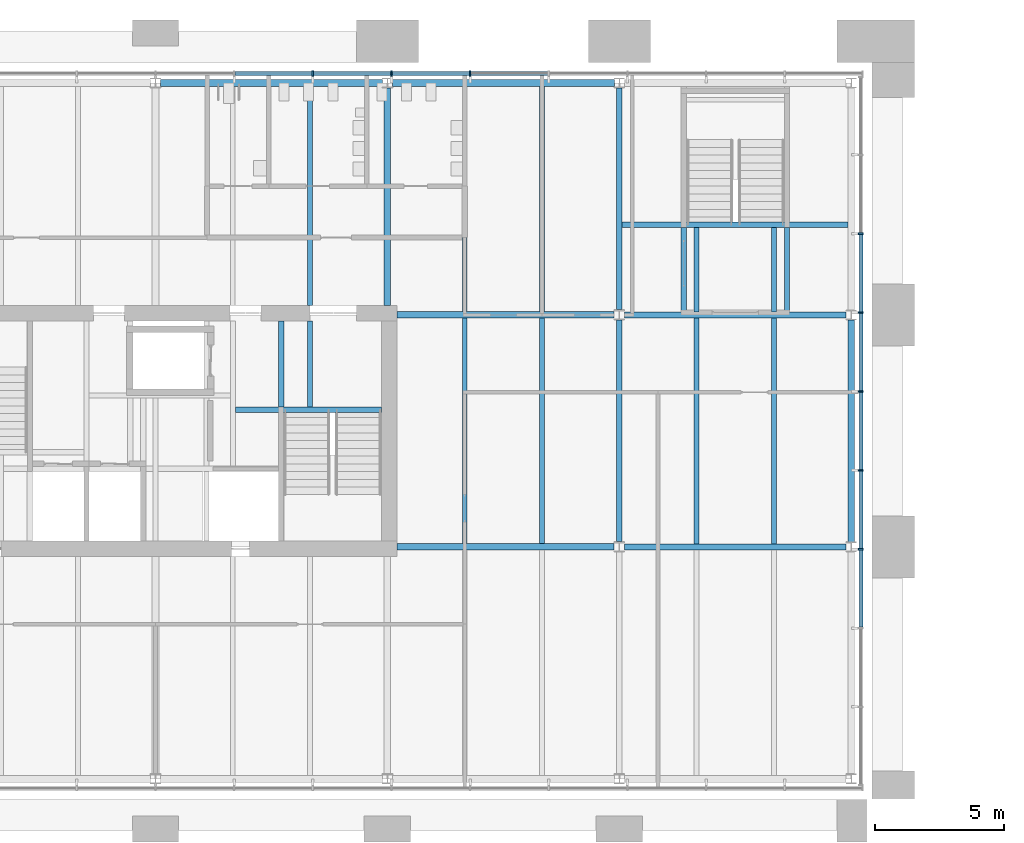
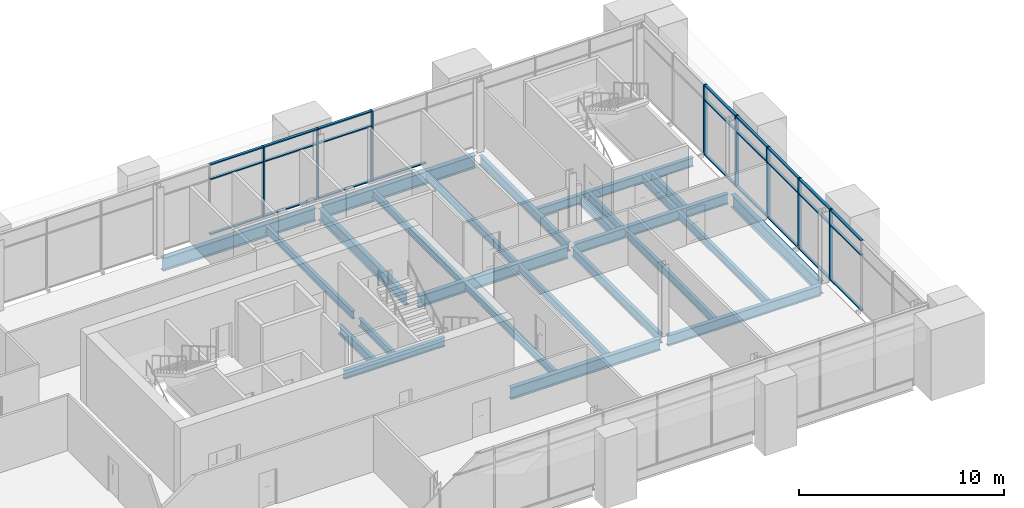
# One storey, part 13 of 43: 33 members, 25 beams, 2 elements without a shape of their own.
"""IFC4 building model written with IfcOpenShell, lengths in metres."""

from ifc_helpers import new_model, si_unit, direction, frame, origin, origin_2d, place, context, subcontext, project, spatial, rectangle, i_section, extrude, material, material_profile, profile_set, type_object, element, aggregate, save


model = new_model("IFC4")

# Units and contexts
model_context = context("Model", 3, precision=1e-05, world=origin(), true_north=direction((0.0, 1.0)))
body_context = subcontext(model_context, "Body", "Model", "MODEL_VIEW")
ifc_project = project(units=[si_unit("LENGTHUNIT", "METRE"), si_unit("AREAUNIT", "SQUARE_METRE"), si_unit("VOLUMEUNIT", "CUBIC_METRE"), si_unit("PLANEANGLEUNIT", "RADIAN"), si_unit("MASSUNIT", "GRAM", prefix="KILO")], contexts=[model_context])

# Site, building, storey
site_placement = place(None, origin())
site = spatial("IfcSite", under=ifc_project, at=site_placement, CompositionType="ELEMENT")
building_placement = place(site_placement, origin())
building = spatial("IfcBuilding", under=site, at=building_placement, Name="Baradari Gate Terminus", CompositionType="ELEMENT")
storey_placement = place(building_placement, frame((0.0, 0.0, 20.10009765625)))
storey = spatial("IfcBuildingStorey", under=building, at=storey_placement, Name="L04", CompositionType="ELEMENT", Elevation=20.10009765625)

# Beams
ifc_material_1 = material(Name="Steel S355", Category="steel")
ifc_material_profile_1 = material_profile(ifc_material_1, i_section(OverallWidth=0.19140625, OverallDepth=0.4599609375, WebThickness=0.010009765625, FlangeThickness=0.01611328125, FilletRadius=0.01025390625, at=origin_2d()), Name="UB 457x191x82")
ifc_profile_set_1 = profile_set([ifc_material_profile_1], Name="Steel S355")
beam_type_1 = type_object("IfcBeamType", Name="Core floor beam B23 UB 457x191x82", PredefinedType="BEAM", material=ifc_profile_set_1)
beam_1_placement = place(storey_placement, frame((42.0, 131.4296875, -0.360107421875), z_axis=(0.0, 1.0, 0.0), x_axis=(-1.0, 0.0, 0.0)))
element("IfcBeam", 1, at=beam_1_placement, inside=storey, type_object=beam_type_1, Name="Core floor beam B23 42:131.43-134.775 L04", PredefinedType="BEAM", context=body_context, shape_type="SweptSolid", body=[
    extrude(i_section(OverallWidth=0.19140625, OverallDepth=0.4599609375, WebThickness=0.010009765625, FlangeThickness=0.01611328125, FilletRadius=0.01025390625, at=origin_2d()), origin(), (0.0, 0.0, 1.0), 3.34521484375),
])
ifc_material_2 = material(Name="Steel S355", Category="steel")
ifc_material_profile_2 = material_profile(ifc_material_2, i_section(OverallWidth=0.209228515625, OverallDepth=0.533203125, WebThickness=0.010009765625, FlangeThickness=0.015625, FilletRadius=0.0126953125, at=origin_2d()), Name="UB 533x210x92")
ifc_profile_set_2 = profile_set([ifc_material_profile_2], Name="Steel S355")
beam_type_2 = type_object("IfcBeamType", Name="Core floor trimmer beam B22 UB 533x210x92", PredefinedType="BEAM", material=ifc_profile_set_2)
beam_2_placement = place(storey_placement, frame((39.095703125, 131.324951171875, -0.396728515625), z_axis=(1.0, 0.0, 0.0), x_axis=(0.0, 1.0, 0.0)))
element("IfcBeam", 2, at=beam_2_placement, inside=storey, type_object=beam_type_2, Name="Core floor trimmer beam B22 131.325:39.096-44.775 L04", PredefinedType="BEAM", context=body_context, shape_type="SweptSolid", body=[
    extrude(i_section(OverallWidth=0.209228515625, OverallDepth=0.533203125, WebThickness=0.010009765625, FlangeThickness=0.015625, FilletRadius=0.0126953125, at=origin_2d()), origin(), (0.0, 0.0, 1.0), 5.67919921875),
])
beam_3_placement = place(storey_placement, frame((40.875, 131.4296875, -0.396728515625), z_axis=(0.0, 1.0, 0.0), x_axis=(-1.0, 0.0, 0.0)))
element("IfcBeam", 3, at=beam_3_placement, inside=storey, type_object=beam_type_2, Name="Core floor trimmer beam B22 40.875:131.43-134.775 L04", PredefinedType="BEAM", context=body_context, shape_type="SweptSolid", body=[
    extrude(i_section(OverallWidth=0.209228515625, OverallDepth=0.533203125, WebThickness=0.010009765625, FlangeThickness=0.015625, FilletRadius=0.0126953125, at=origin_2d()), origin(), (0.0, 0.0, 1.0), 3.34521484375),
])

# Curtain wall, members
ifc_material_3 = material(Name="Aluminium 6063-T6", Category="aluminium")
curtain_wall_type = type_object("IfcCurtainWallType", Name="Curtain wall CW-1 block unitised, zone L02-L05", PredefinedType="NOTDEFINED", material=ifc_material_3)
curtain_wall_1_placement = place(storey_placement, origin())
curtain_wall_1 = element("IfcCurtainWall", 4, at=curtain_wall_1_placement, inside=storey, type_object=curtain_wall_type, Name="Curtain wall CW-1 Operations block N face L04", PredefinedType="NOTDEFINED")
ifc_material_4 = material(Name="Aluminium 6063-T6", Category="aluminium")
ifc_material_profile_3 = material_profile(ifc_material_4, rectangle(XDim=0.199951171875, YDim=0.06494140625, at=origin_2d()), Name="CM-1 65X200")
ifc_profile_set_3 = profile_set([ifc_material_profile_3], Name="Aluminium 6063-T6")
member_type_1 = type_object("IfcMemberType", Name="Curtain wall mullion CM-1 65x200", PredefinedType="MULLION", material=ifc_profile_set_3)
member_1_placement = place(storey_placement, frame((42.1044921875, 144.3701171875, 0.0), z_axis=(0.0, 0.0, 1.0), x_axis=(0.0, 1.0, 0.0)))
member_1 = element("IfcMember", 5, at=member_1_placement, type_object=member_type_1, Name="CW-1 mullion 12", PredefinedType="MULLION", context=body_context, shape_type="SweptSolid", body=[
    extrude(rectangle(XDim=0.199951171875, YDim=0.06494140625, at=origin_2d()), origin(), (0.0, 0.0, 1.0), 4.199951171875),
])
member_2_placement = place(storey_placement, frame((45.15673828125, 144.3701171875, 0.0), z_axis=(0.0, 0.0, 1.0), x_axis=(0.0, 1.0, 0.0)))
member_2 = element("IfcMember", 6, at=member_2_placement, type_object=member_type_1, Name="CW-1 mullion 13", PredefinedType="MULLION", context=body_context, shape_type="SweptSolid", body=[
    extrude(rectangle(XDim=0.199951171875, YDim=0.06494140625, at=origin_2d()), origin(), (0.0, 0.0, 1.0), 4.199951171875),
])
member_3_placement = place(storey_placement, frame((48.208984375, 144.3701171875, 0.0), z_axis=(0.0, 0.0, 1.0), x_axis=(0.0, 1.0, 0.0)))
member_3 = element("IfcMember", 7, at=member_3_placement, type_object=member_type_1, Name="CW-1 mullion 14", PredefinedType="MULLION", context=body_context, shape_type="SweptSolid", body=[
    extrude(rectangle(XDim=0.199951171875, YDim=0.06494140625, at=origin_2d()), origin(), (0.0, 0.0, 1.0), 4.199951171875),
])

curtain_wall_2_placement = place(storey_placement, origin())
curtain_wall_2 = element("IfcCurtainWall", 8, at=curtain_wall_2_placement, inside=storey, type_object=curtain_wall_type, Name="Curtain wall CW-1 Operations block E face L04", PredefinedType="NOTDEFINED")
member_4_placement = place(storey_placement, frame((63.3701171875, 125.909912109375, 0.0), z_axis=(0.0, 0.0, 1.0), x_axis=(-1.0, 0.0, 0.0)))
member_4 = element("IfcMember", 9, at=member_4_placement, type_object=member_type_1, Name="CW-1 mullion 4", PredefinedType="MULLION", context=body_context, shape_type="SweptSolid", body=[
    extrude(rectangle(XDim=0.199951171875, YDim=0.06494140625, at=origin_2d()), origin(), (0.0, 0.0, 1.0), 4.199951171875),
])
member_5_placement = place(storey_placement, frame((63.3701171875, 128.969970703125, 0.0), z_axis=(0.0, 0.0, 1.0), x_axis=(-1.0, 0.0, 0.0)))
member_5 = element("IfcMember", 10, at=member_5_placement, type_object=member_type_1, Name="CW-1 mullion 5", PredefinedType="MULLION", context=body_context, shape_type="SweptSolid", body=[
    extrude(rectangle(XDim=0.199951171875, YDim=0.06494140625, at=origin_2d()), origin(), (0.0, 0.0, 1.0), 4.199951171875),
])
member_6_placement = place(storey_placement, frame((63.3701171875, 132.030029296875, 0.0), z_axis=(0.0, 0.0, 1.0), x_axis=(-1.0, 0.0, 0.0)))
member_6 = element("IfcMember", 11, at=member_6_placement, type_object=member_type_1, Name="CW-1 mullion 6", PredefinedType="MULLION", context=body_context, shape_type="SweptSolid", body=[
    extrude(rectangle(XDim=0.199951171875, YDim=0.06494140625, at=origin_2d()), origin(), (0.0, 0.0, 1.0), 4.199951171875),
])
member_7_placement = place(storey_placement, frame((63.3701171875, 135.090087890625, 0.0), z_axis=(0.0, 0.0, 1.0), x_axis=(-1.0, 0.0, 0.0)))
member_7 = element("IfcMember", 12, at=member_7_placement, type_object=member_type_1, Name="CW-1 mullion 7", PredefinedType="MULLION", context=body_context, shape_type="SweptSolid", body=[
    extrude(rectangle(XDim=0.199951171875, YDim=0.06494140625, at=origin_2d()), origin(), (0.0, 0.0, 1.0), 4.199951171875),
])
member_8_placement = place(storey_placement, frame((63.3701171875, 138.14990234375, 0.0), z_axis=(0.0, 0.0, 1.0), x_axis=(-1.0, 0.0, 0.0)))
member_8 = element("IfcMember", 13, at=member_8_placement, type_object=member_type_1, Name="CW-1 mullion 8", PredefinedType="MULLION", context=body_context, shape_type="SweptSolid", body=[
    extrude(rectangle(XDim=0.199951171875, YDim=0.06494140625, at=origin_2d()), origin(), (0.0, 0.0, 1.0), 4.199951171875),
])

# Member
ifc_material_5 = material(Name="Aluminium 6063-T6", Category="aluminium")
ifc_material_profile_4 = material_profile(ifc_material_5, rectangle(XDim=0.14990234375, YDim=0.06494140625, at=origin_2d()), Name="CT-1 65X150")
ifc_profile_set_4 = profile_set([ifc_material_profile_4], Name="Aluminium 6063-T6")
member_type_2 = type_object("IfcMemberType", Name="Curtain wall transom CT-1 65x150", PredefinedType="USERDEFINED", material=ifc_profile_set_4)
member_9_placement = place(storey_placement, frame((39.084716796875, 144.3701171875, 0.032470703125), z_axis=(1.0, 0.0, 0.0), x_axis=(0.0, 1.0, 0.0)))
member_9 = element("IfcMember", 14, at=member_9_placement, type_object=member_type_2, Name="CW-1 transom 11.1", ObjectType="TRANSOM", PredefinedType="USERDEFINED", context=body_context, shape_type="SweptSolid", body=[
    extrude(rectangle(XDim=0.14990234375, YDim=0.06494140625, at=origin_2d()), origin(), (0.0, 0.0, 1.0), 2.9873046875),
])

member_10_placement = place(storey_placement, frame((39.084716796875, 144.3701171875, 3.2998046875), z_axis=(1.0, 0.0, 0.0), x_axis=(0.0, 1.0, 0.0)))
member_10 = element("IfcMember", 15, at=member_10_placement, type_object=member_type_2, Name="CW-1 transom 11.2", ObjectType="TRANSOM", PredefinedType="USERDEFINED", context=body_context, shape_type="SweptSolid", body=[
    extrude(rectangle(XDim=0.14990234375, YDim=0.06494140625, at=origin_2d()), origin(), (0.0, 0.0, 1.0), 2.9873046875),
])

member_11_placement = place(storey_placement, frame((39.084716796875, 144.3701171875, 4.16748046875), z_axis=(1.0, 0.0, 0.0), x_axis=(0.0, 1.0, 0.0)))
member_11 = element("IfcMember", 16, at=member_11_placement, type_object=member_type_2, Name="CW-1 transom 11.3", ObjectType="TRANSOM", PredefinedType="USERDEFINED", context=body_context, shape_type="SweptSolid", body=[
    extrude(rectangle(XDim=0.14990234375, YDim=0.06494140625, at=origin_2d()), origin(), (0.0, 0.0, 1.0), 2.9873046875),
])

member_12_placement = place(storey_placement, frame((42.136962890625, 144.3701171875, 0.032470703125), z_axis=(1.0, 0.0, 0.0), x_axis=(0.0, 1.0, 0.0)))
member_12 = element("IfcMember", 17, at=member_12_placement, type_object=member_type_2, Name="CW-1 transom 12.1", ObjectType="TRANSOM", PredefinedType="USERDEFINED", context=body_context, shape_type="SweptSolid", body=[
    extrude(rectangle(XDim=0.14990234375, YDim=0.06494140625, at=origin_2d()), origin(), (0.0, 0.0, 1.0), 2.9873046875),
])

member_13_placement = place(storey_placement, frame((42.136962890625, 144.3701171875, 3.2998046875), z_axis=(1.0, 0.0, 0.0), x_axis=(0.0, 1.0, 0.0)))
member_13 = element("IfcMember", 18, at=member_13_placement, type_object=member_type_2, Name="CW-1 transom 12.2", ObjectType="TRANSOM", PredefinedType="USERDEFINED", context=body_context, shape_type="SweptSolid", body=[
    extrude(rectangle(XDim=0.14990234375, YDim=0.06494140625, at=origin_2d()), origin(), (0.0, 0.0, 1.0), 2.9873046875),
])

member_14_placement = place(storey_placement, frame((42.136962890625, 144.3701171875, 4.16748046875), z_axis=(1.0, 0.0, 0.0), x_axis=(0.0, 1.0, 0.0)))
member_14 = element("IfcMember", 19, at=member_14_placement, type_object=member_type_2, Name="CW-1 transom 12.3", ObjectType="TRANSOM", PredefinedType="USERDEFINED", context=body_context, shape_type="SweptSolid", body=[
    extrude(rectangle(XDim=0.14990234375, YDim=0.06494140625, at=origin_2d()), origin(), (0.0, 0.0, 1.0), 2.9873046875),
])

member_15_placement = place(storey_placement, frame((45.189208984375, 144.3701171875, 0.032470703125), z_axis=(1.0, 0.0, 0.0), x_axis=(0.0, 1.0, 0.0)))
member_15 = element("IfcMember", 20, at=member_15_placement, type_object=member_type_2, Name="CW-1 transom 13.1", ObjectType="TRANSOM", PredefinedType="USERDEFINED", context=body_context, shape_type="SweptSolid", body=[
    extrude(rectangle(XDim=0.14990234375, YDim=0.06494140625, at=origin_2d()), origin(), (0.0, 0.0, 1.0), 2.987060546875),
])

member_16_placement = place(storey_placement, frame((45.189208984375, 144.3701171875, 3.2998046875), z_axis=(1.0, 0.0, 0.0), x_axis=(0.0, 1.0, 0.0)))
member_16 = element("IfcMember", 21, at=member_16_placement, type_object=member_type_2, Name="CW-1 transom 13.2", ObjectType="TRANSOM", PredefinedType="USERDEFINED", context=body_context, shape_type="SweptSolid", body=[
    extrude(rectangle(XDim=0.14990234375, YDim=0.06494140625, at=origin_2d()), origin(), (0.0, 0.0, 1.0), 2.987060546875),
])

member_17_placement = place(storey_placement, frame((45.189208984375, 144.3701171875, 4.16748046875), z_axis=(1.0, 0.0, 0.0), x_axis=(0.0, 1.0, 0.0)))
member_17 = element("IfcMember", 22, at=member_17_placement, type_object=member_type_2, Name="CW-1 transom 13.3", ObjectType="TRANSOM", PredefinedType="USERDEFINED", context=body_context, shape_type="SweptSolid", body=[
    extrude(rectangle(XDim=0.14990234375, YDim=0.06494140625, at=origin_2d()), origin(), (0.0, 0.0, 1.0), 2.987060546875),
])

member_18_placement = place(storey_placement, frame((48.241455078125, 144.3701171875, 0.032470703125), z_axis=(1.0, 0.0, 0.0), x_axis=(0.0, 1.0, 0.0)))
member_18 = element("IfcMember", 23, at=member_18_placement, type_object=member_type_2, Name="CW-1 transom 14.1", ObjectType="TRANSOM", PredefinedType="USERDEFINED", context=body_context, shape_type="SweptSolid", body=[
    extrude(rectangle(XDim=0.14990234375, YDim=0.06494140625, at=origin_2d()), origin(), (0.0, 0.0, 1.0), 2.987060546875),
])

aggregate(curtain_wall_1, [member_1, member_2, member_3, member_9, member_10, member_11, member_12, member_13, member_14, member_15, member_16, member_17, member_18])

member_19_placement = place(storey_placement, frame((63.3701171875, 122.882568359375, 0.032470703125), z_axis=(0.0, 1.0, 0.0), x_axis=(-1.0, 0.0, 0.0)))
member_19 = element("IfcMember", 24, at=member_19_placement, type_object=member_type_2, Name="CW-1 transom 3.1", ObjectType="TRANSOM", PredefinedType="USERDEFINED", context=body_context, shape_type="SweptSolid", body=[
    extrude(rectangle(XDim=0.14990234375, YDim=0.06494140625, at=origin_2d()), origin(), (0.0, 0.0, 1.0), 2.994873046875),
])

member_20_placement = place(storey_placement, frame((63.3701171875, 122.882568359375, 3.2998046875), z_axis=(0.0, 1.0, 0.0), x_axis=(-1.0, 0.0, 0.0)))
member_20 = element("IfcMember", 25, at=member_20_placement, type_object=member_type_2, Name="CW-1 transom 3.2", ObjectType="TRANSOM", PredefinedType="USERDEFINED", context=body_context, shape_type="SweptSolid", body=[
    extrude(rectangle(XDim=0.14990234375, YDim=0.06494140625, at=origin_2d()), origin(), (0.0, 0.0, 1.0), 2.994873046875),
])

member_21_placement = place(storey_placement, frame((63.3701171875, 122.882568359375, 4.16748046875), z_axis=(0.0, 1.0, 0.0), x_axis=(-1.0, 0.0, 0.0)))
member_21 = element("IfcMember", 26, at=member_21_placement, type_object=member_type_2, Name="CW-1 transom 3.3", ObjectType="TRANSOM", PredefinedType="USERDEFINED", context=body_context, shape_type="SweptSolid", body=[
    extrude(rectangle(XDim=0.14990234375, YDim=0.06494140625, at=origin_2d()), origin(), (0.0, 0.0, 1.0), 2.994873046875),
])

member_22_placement = place(storey_placement, frame((63.3701171875, 125.9423828125, 0.032470703125), z_axis=(0.0, 1.0, 0.0), x_axis=(-1.0, 0.0, 0.0)))
member_22 = element("IfcMember", 27, at=member_22_placement, type_object=member_type_2, Name="CW-1 transom 4.1", ObjectType="TRANSOM", PredefinedType="USERDEFINED", context=body_context, shape_type="SweptSolid", body=[
    extrude(rectangle(XDim=0.14990234375, YDim=0.06494140625, at=origin_2d()), origin(), (0.0, 0.0, 1.0), 2.9951171875),
])

member_23_placement = place(storey_placement, frame((63.3701171875, 125.9423828125, 3.2998046875), z_axis=(0.0, 1.0, 0.0), x_axis=(-1.0, 0.0, 0.0)))
member_23 = element("IfcMember", 28, at=member_23_placement, type_object=member_type_2, Name="CW-1 transom 4.2", ObjectType="TRANSOM", PredefinedType="USERDEFINED", context=body_context, shape_type="SweptSolid", body=[
    extrude(rectangle(XDim=0.14990234375, YDim=0.06494140625, at=origin_2d()), origin(), (0.0, 0.0, 1.0), 2.9951171875),
])

member_24_placement = place(storey_placement, frame((63.3701171875, 125.9423828125, 4.16748046875), z_axis=(0.0, 1.0, 0.0), x_axis=(-1.0, 0.0, 0.0)))
member_24 = element("IfcMember", 29, at=member_24_placement, type_object=member_type_2, Name="CW-1 transom 4.3", ObjectType="TRANSOM", PredefinedType="USERDEFINED", context=body_context, shape_type="SweptSolid", body=[
    extrude(rectangle(XDim=0.14990234375, YDim=0.06494140625, at=origin_2d()), origin(), (0.0, 0.0, 1.0), 2.9951171875),
])

member_25_placement = place(storey_placement, frame((63.3701171875, 129.00244140625, 0.032470703125), z_axis=(0.0, 1.0, 0.0), x_axis=(-1.0, 0.0, 0.0)))
member_25 = element("IfcMember", 30, at=member_25_placement, type_object=member_type_2, Name="CW-1 transom 5.1", ObjectType="TRANSOM", PredefinedType="USERDEFINED", context=body_context, shape_type="SweptSolid", body=[
    extrude(rectangle(XDim=0.14990234375, YDim=0.06494140625, at=origin_2d()), origin(), (0.0, 0.0, 1.0), 2.9951171875),
])

member_26_placement = place(storey_placement, frame((63.3701171875, 129.00244140625, 3.2998046875), z_axis=(0.0, 1.0, 0.0), x_axis=(-1.0, 0.0, 0.0)))
member_26 = element("IfcMember", 31, at=member_26_placement, type_object=member_type_2, Name="CW-1 transom 5.2", ObjectType="TRANSOM", PredefinedType="USERDEFINED", context=body_context, shape_type="SweptSolid", body=[
    extrude(rectangle(XDim=0.14990234375, YDim=0.06494140625, at=origin_2d()), origin(), (0.0, 0.0, 1.0), 2.9951171875),
])

member_27_placement = place(storey_placement, frame((63.3701171875, 129.00244140625, 4.16748046875), z_axis=(0.0, 1.0, 0.0), x_axis=(-1.0, 0.0, 0.0)))
member_27 = element("IfcMember", 32, at=member_27_placement, type_object=member_type_2, Name="CW-1 transom 5.3", ObjectType="TRANSOM", PredefinedType="USERDEFINED", context=body_context, shape_type="SweptSolid", body=[
    extrude(rectangle(XDim=0.14990234375, YDim=0.06494140625, at=origin_2d()), origin(), (0.0, 0.0, 1.0), 2.9951171875),
])

member_28_placement = place(storey_placement, frame((63.3701171875, 132.0625, 0.032470703125), z_axis=(0.0, 1.0, 0.0), x_axis=(-1.0, 0.0, 0.0)))
member_28 = element("IfcMember", 33, at=member_28_placement, type_object=member_type_2, Name="CW-1 transom 6.1", ObjectType="TRANSOM", PredefinedType="USERDEFINED", context=body_context, shape_type="SweptSolid", body=[
    extrude(rectangle(XDim=0.14990234375, YDim=0.06494140625, at=origin_2d()), origin(), (0.0, 0.0, 1.0), 2.9951171875),
])

member_29_placement = place(storey_placement, frame((63.3701171875, 132.0625, 3.2998046875), z_axis=(0.0, 1.0, 0.0), x_axis=(-1.0, 0.0, 0.0)))
member_29 = element("IfcMember", 34, at=member_29_placement, type_object=member_type_2, Name="CW-1 transom 6.2", ObjectType="TRANSOM", PredefinedType="USERDEFINED", context=body_context, shape_type="SweptSolid", body=[
    extrude(rectangle(XDim=0.14990234375, YDim=0.06494140625, at=origin_2d()), origin(), (0.0, 0.0, 1.0), 2.9951171875),
])

member_30_placement = place(storey_placement, frame((63.3701171875, 132.0625, 4.16748046875), z_axis=(0.0, 1.0, 0.0), x_axis=(-1.0, 0.0, 0.0)))
member_30 = element("IfcMember", 35, at=member_30_placement, type_object=member_type_2, Name="CW-1 transom 6.3", ObjectType="TRANSOM", PredefinedType="USERDEFINED", context=body_context, shape_type="SweptSolid", body=[
    extrude(rectangle(XDim=0.14990234375, YDim=0.06494140625, at=origin_2d()), origin(), (0.0, 0.0, 1.0), 2.9951171875),
])

member_31_placement = place(storey_placement, frame((63.3701171875, 135.12255859375, 0.032470703125), z_axis=(0.0, 1.0, 0.0), x_axis=(-1.0, 0.0, 0.0)))
member_31 = element("IfcMember", 36, at=member_31_placement, type_object=member_type_2, Name="CW-1 transom 7.1", ObjectType="TRANSOM", PredefinedType="USERDEFINED", context=body_context, shape_type="SweptSolid", body=[
    extrude(rectangle(XDim=0.14990234375, YDim=0.06494140625, at=origin_2d()), origin(), (0.0, 0.0, 1.0), 2.994873046875),
])

member_32_placement = place(storey_placement, frame((63.3701171875, 135.12255859375, 3.2998046875), z_axis=(0.0, 1.0, 0.0), x_axis=(-1.0, 0.0, 0.0)))
member_32 = element("IfcMember", 37, at=member_32_placement, type_object=member_type_2, Name="CW-1 transom 7.2", ObjectType="TRANSOM", PredefinedType="USERDEFINED", context=body_context, shape_type="SweptSolid", body=[
    extrude(rectangle(XDim=0.14990234375, YDim=0.06494140625, at=origin_2d()), origin(), (0.0, 0.0, 1.0), 2.994873046875),
])

member_33_placement = place(storey_placement, frame((63.3701171875, 135.12255859375, 4.16748046875), z_axis=(0.0, 1.0, 0.0), x_axis=(-1.0, 0.0, 0.0)))
member_33 = element("IfcMember", 38, at=member_33_placement, type_object=member_type_2, Name="CW-1 transom 7.3", ObjectType="TRANSOM", PredefinedType="USERDEFINED", context=body_context, shape_type="SweptSolid", body=[
    extrude(rectangle(XDim=0.14990234375, YDim=0.06494140625, at=origin_2d()), origin(), (0.0, 0.0, 1.0), 2.994873046875),
])

aggregate(curtain_wall_2, [member_4, member_5, member_6, member_7, member_8, member_19, member_20, member_21, member_22, member_23, member_24, member_25, member_26, member_27, member_28, member_29, member_30, member_31, member_32, member_33])

# Beams
ifc_material_6 = material(Name="Steel S355", Category="steel")
ifc_material_profile_5 = material_profile(ifc_material_6, i_section(OverallWidth=0.25439453125, OverallDepth=0.6875, WebThickness=0.01318359375, FlangeThickness=0.02099609375, FilletRadius=0.01513671875, at=origin_2d()), Name="UB 686x254x152")
ifc_profile_set_5 = profile_set([ifc_material_profile_5], Name="Steel S355")
beam_type_3 = type_object("IfcBeamType", Name="Operations block coupling beam B26 UB 686x254x152", PredefinedType="BEAM", material=ifc_profile_set_5)
for number, where, z_axis, x_axis, name in (
    (39, (45.375, 126.0, -0.473876953125), (1.0, 0.0, 0.0), (0.0, 1.0, 0.0), "Operations block coupling beam B26 Q:45.375-53.798 L04"),
    (40, (45.375, 135.0, -0.473876953125), (1.0, 0.0, 0.0), (0.0, 1.0, 0.0), "Operations block coupling beam B26 R:45.375-53.798 L04"),
):
    element("IfcBeam", number, at=place(storey_placement, frame(where, z_axis=z_axis, x_axis=x_axis)), inside=storey, type_object=beam_type_3, Name=name, PredefinedType="BEAM", context=body_context, shape_type="SweptSolid", body=[
        extrude(i_section(OverallWidth=0.25439453125, OverallDepth=0.6875, WebThickness=0.01318359375, FlangeThickness=0.02099609375, FilletRadius=0.01513671875, at=origin_2d()), origin(), (0.0, 0.0, 1.0), 8.423583984375),
    ])
beam_4_placement = place(storey_placement, frame((45.0, 135.375, -0.473876953125), z_axis=(0.0, 1.0, 0.0), x_axis=(-1.0, 0.0, 0.0)))
element("IfcBeam", 41, at=beam_4_placement, inside=storey, type_object=beam_type_3, Name="Operations block coupling beam B26 6:135.375-143.81 L04", PredefinedType="BEAM", context=body_context, shape_type="SweptSolid", body=[
    extrude(i_section(OverallWidth=0.25439453125, OverallDepth=0.6875, WebThickness=0.01318359375, FlangeThickness=0.02099609375, FilletRadius=0.01513671875, at=origin_2d()), origin(), (0.0, 0.0, 1.0), 8.4345703125),
])
ifc_material_7 = material(Name="Steel S355", Category="steel")
ifc_material_profile_6 = material_profile(ifc_material_7, i_section(OverallWidth=0.22900390625, OverallDepth=0.6123046875, WebThickness=0.011962890625, FlangeThickness=0.01953125, FilletRadius=0.0126953125, at=origin_2d()), Name="UB 610x229x125")
ifc_profile_set_6 = profile_set([ifc_material_profile_6], Name="Steel S355")
beam_type_4 = type_object("IfcBeamType", Name="Operations block girder B25 UB 610x229x125", PredefinedType="BEAM", material=ifc_profile_set_6)
for number, where, z_axis, x_axis, name in (
    (42, (54.201416015625, 126.0, -0.436279296875), (1.0, 0.0, 0.0), (0.0, 1.0, 0.0), "Operations block girder B25 Q:54.202-62.803 L04"),
    (43, (54.201416015625, 135.0, -0.436279296875), (1.0, 0.0, 0.0), (0.0, 1.0, 0.0), "Operations block girder B25 R:54.202-62.803 L04"),
):
    element("IfcBeam", number, at=place(storey_placement, frame(where, z_axis=z_axis, x_axis=x_axis)), inside=storey, type_object=beam_type_4, Name=name, PredefinedType="BEAM", context=body_context, shape_type="SweptSolid", body=[
        extrude(i_section(OverallWidth=0.22900390625, OverallDepth=0.6123046875, WebThickness=0.011962890625, FlangeThickness=0.01953125, FilletRadius=0.0126953125, at=origin_2d()), origin(), (0.0, 0.0, 1.0), 8.60107421875),
    ])
ifc_material_8 = material(Name="Steel S355", Category="steel")
ifc_material_profile_7 = material_profile(ifc_material_8, i_section(OverallWidth=0.210693359375, OverallDepth=0.53955078125, WebThickness=0.01171875, FlangeThickness=0.018798828125, FilletRadius=0.0126953125, at=origin_2d()), Name="UB 533x210x109")
ifc_profile_set_7 = profile_set([ifc_material_profile_7], Name="Steel S355")
beam_type_5 = type_object("IfcBeamType", Name="Operations block girder B29 UB 533x210x109", PredefinedType="BEAM", material=ifc_profile_set_7)
beam_5_placement = place(storey_placement, frame((54.0, 126.203125, -0.39990234375), z_axis=(0.0, 1.0, 0.0), x_axis=(-1.0, 0.0, 0.0)))
element("IfcBeam", 44, at=beam_5_placement, inside=storey, type_object=beam_type_5, Name="Operations block girder B29 7:126.203-134.797 L04", PredefinedType="BEAM", context=body_context, shape_type="SweptSolid", body=[
    extrude(i_section(OverallWidth=0.210693359375, OverallDepth=0.53955078125, WebThickness=0.01171875, FlangeThickness=0.018798828125, FilletRadius=0.0126953125, at=origin_2d()), origin(), (0.0, 0.0, 1.0), 8.59375),
])
beam_6_placement = place(storey_placement, frame((54.0, 135.203125, -0.39990234375), z_axis=(0.0, 1.0, 0.0), x_axis=(-1.0, 0.0, 0.0)))
element("IfcBeam", 45, at=beam_6_placement, inside=storey, type_object=beam_type_5, Name="Operations block girder B29 7:135.203-143.81 L04", PredefinedType="BEAM", context=body_context, shape_type="SweptSolid", body=[
    extrude(i_section(OverallWidth=0.210693359375, OverallDepth=0.53955078125, WebThickness=0.01171875, FlangeThickness=0.018798828125, FilletRadius=0.0126953125, at=origin_2d()), origin(), (0.0, 0.0, 1.0), 8.6064453125),
])
ifc_material_9 = material(Name="Steel S355", Category="steel")
ifc_material_profile_8 = material_profile(ifc_material_9, i_section(OverallWidth=0.2666015625, OverallDepth=0.76220703125, WebThickness=0.014404296875, FlangeThickness=0.021484375, FilletRadius=0.0166015625, at=origin_2d()), Name="UB 762x267x173")
ifc_profile_set_8 = profile_set([ifc_material_profile_8], Name="Steel S355")
beam_type_6 = type_object("IfcBeamType", Name="Operations block moment frame beam B24 UB 762x267x173", PredefinedType="BEAM", material=ifc_profile_set_8)
for number, where, z_axis, x_axis, name in (
    (46, (36.197509765625, 144.0, -0.51123046875), (1.0, 0.0, 0.0), (0.0, 1.0, 0.0), "Operations block moment frame beam B24 S:36.197-44.803 L04"),
    (47, (45.197509765625, 144.0, -0.51123046875), (1.0, 0.0, 0.0), (0.0, 1.0, 0.0), "Operations block moment frame beam B24 S:45.197-53.803 L04"),
):
    element("IfcBeam", number, at=place(storey_placement, frame(where, z_axis=z_axis, x_axis=x_axis)), inside=storey, type_object=beam_type_6, Name=name, PredefinedType="BEAM", context=body_context, shape_type="SweptSolid", body=[
        extrude(i_section(OverallWidth=0.2666015625, OverallDepth=0.76220703125, WebThickness=0.014404296875, FlangeThickness=0.021484375, FilletRadius=0.0166015625, at=origin_2d()), origin(), (0.0, 0.0, 1.0), 8.60498046875),
    ])
beam_7_placement = place(storey_placement, frame((63.0, 126.1904296875, -0.51123046875), z_axis=(0.0, 1.0, 0.0), x_axis=(-1.0, 0.0, 0.0)))
element("IfcBeam", 48, at=beam_7_placement, inside=storey, type_object=beam_type_6, Name="Operations block moment frame beam B24 8:126.191-134.81 L04", PredefinedType="BEAM", context=body_context, shape_type="SweptSolid", body=[
    extrude(i_section(OverallWidth=0.2666015625, OverallDepth=0.76220703125, WebThickness=0.014404296875, FlangeThickness=0.021484375, FilletRadius=0.0166015625, at=origin_2d()), origin(), (0.0, 0.0, 1.0), 8.619140625),
])
ifc_material_10 = material(Name="Steel S355", Category="steel")
ifc_material_profile_9 = material_profile(ifc_material_10, i_section(OverallWidth=0.18994140625, OverallDepth=0.453369140625, WebThickness=0.008544921875, FlangeThickness=0.0126953125, FilletRadius=0.01025390625, at=origin_2d()), Name="UB 457x191x67")
ifc_profile_set_9 = profile_set([ifc_material_profile_9], Name="Steel S355")
beam_type_7 = type_object("IfcBeamType", Name="Operations block secondary beam B28 UB 457x191x67", PredefinedType="BEAM", material=ifc_profile_set_9)
beam_8_placement = place(storey_placement, frame((42.0, 135.375, -0.356689453125), z_axis=(0.0, 1.0, 0.0), x_axis=(-1.0, 0.0, 0.0)))
element("IfcBeam", 49, at=beam_8_placement, inside=storey, type_object=beam_type_7, Name="Operations block secondary beam B28 42:135.375-143.867 L04", PredefinedType="BEAM", context=body_context, shape_type="SweptSolid", body=[
    extrude(i_section(OverallWidth=0.18994140625, OverallDepth=0.453369140625, WebThickness=0.008544921875, FlangeThickness=0.0126953125, FilletRadius=0.01025390625, at=origin_2d()), origin(), (0.0, 0.0, 1.0), 8.49169921875),
])
beam_9_placement = place(storey_placement, frame((48.0, 126.127197265625, -0.356689453125), z_axis=(0.0, 1.0, 0.0), x_axis=(-1.0, 0.0, 0.0)))
element("IfcBeam", 50, at=beam_9_placement, inside=storey, type_object=beam_type_7, Name="Operations block secondary beam B28 48:126.127-134.873 L04", PredefinedType="BEAM", context=body_context, shape_type="SweptSolid", body=[
    extrude(i_section(OverallWidth=0.18994140625, OverallDepth=0.453369140625, WebThickness=0.008544921875, FlangeThickness=0.0126953125, FilletRadius=0.01025390625, at=origin_2d()), origin(), (0.0, 0.0, 1.0), 8.74560546875),
])
beam_10_placement = place(storey_placement, frame((48.0, 135.127197265625, -0.356689453125), z_axis=(0.0, 1.0, 0.0), x_axis=(-1.0, 0.0, 0.0)))
element("IfcBeam", 51, at=beam_10_placement, inside=storey, type_object=beam_type_7, Name="Operations block secondary beam B28 48:135.127-143.867 L04", PredefinedType="BEAM", context=body_context, shape_type="SweptSolid", body=[
    extrude(i_section(OverallWidth=0.18994140625, OverallDepth=0.453369140625, WebThickness=0.008544921875, FlangeThickness=0.0126953125, FilletRadius=0.01025390625, at=origin_2d()), origin(), (0.0, 0.0, 1.0), 8.739501953125),
])
beam_11_placement = place(storey_placement, frame((51.0, 126.127197265625, -0.356689453125), z_axis=(0.0, 1.0, 0.0), x_axis=(-1.0, 0.0, 0.0)))
element("IfcBeam", 52, at=beam_11_placement, inside=storey, type_object=beam_type_7, Name="Operations block secondary beam B28 51:126.127-134.873 L04", PredefinedType="BEAM", context=body_context, shape_type="SweptSolid", body=[
    extrude(i_section(OverallWidth=0.18994140625, OverallDepth=0.453369140625, WebThickness=0.008544921875, FlangeThickness=0.0126953125, FilletRadius=0.01025390625, at=origin_2d()), origin(), (0.0, 0.0, 1.0), 8.74560546875),
])
beam_12_placement = place(storey_placement, frame((51.0, 135.127197265625, -0.356689453125), z_axis=(0.0, 1.0, 0.0), x_axis=(-1.0, 0.0, 0.0)))
element("IfcBeam", 53, at=beam_12_placement, inside=storey, type_object=beam_type_7, Name="Operations block secondary beam B28 51:135.127-143.867 L04", PredefinedType="BEAM", context=body_context, shape_type="SweptSolid", body=[
    extrude(i_section(OverallWidth=0.18994140625, OverallDepth=0.453369140625, WebThickness=0.008544921875, FlangeThickness=0.0126953125, FilletRadius=0.01025390625, at=origin_2d()), origin(), (0.0, 0.0, 1.0), 8.739501953125),
])
beam_13_placement = place(storey_placement, frame((57.0, 126.114501953125, -0.356689453125), z_axis=(0.0, 1.0, 0.0), x_axis=(-1.0, 0.0, 0.0)))
element("IfcBeam", 54, at=beam_13_placement, inside=storey, type_object=beam_type_7, Name="Operations block secondary beam B28 57:126.115-134.886 L04", PredefinedType="BEAM", context=body_context, shape_type="SweptSolid", body=[
    extrude(i_section(OverallWidth=0.18994140625, OverallDepth=0.453369140625, WebThickness=0.008544921875, FlangeThickness=0.0126953125, FilletRadius=0.01025390625, at=origin_2d()), origin(), (0.0, 0.0, 1.0), 8.77099609375),
])
beam_14_placement = place(storey_placement, frame((57.0, 135.114501953125, -0.356689453125), z_axis=(0.0, 1.0, 0.0), x_axis=(-1.0, 0.0, 0.0)))
element("IfcBeam", 55, at=beam_14_placement, inside=storey, type_object=beam_type_7, Name="Operations block secondary beam B28 57:135.114-138.395 L04", PredefinedType="BEAM", context=body_context, shape_type="SweptSolid", body=[
    extrude(i_section(OverallWidth=0.18994140625, OverallDepth=0.453369140625, WebThickness=0.008544921875, FlangeThickness=0.0126953125, FilletRadius=0.01025390625, at=origin_2d()), origin(), (0.0, 0.0, 1.0), 3.281005859375),
])
beam_15_placement = place(storey_placement, frame((60.0, 126.114501953125, -0.356689453125), z_axis=(0.0, 1.0, 0.0), x_axis=(-1.0, 0.0, 0.0)))
element("IfcBeam", 56, at=beam_15_placement, inside=storey, type_object=beam_type_7, Name="Operations block secondary beam B28 60:126.115-134.886 L04", PredefinedType="BEAM", context=body_context, shape_type="SweptSolid", body=[
    extrude(i_section(OverallWidth=0.18994140625, OverallDepth=0.453369140625, WebThickness=0.008544921875, FlangeThickness=0.0126953125, FilletRadius=0.01025390625, at=origin_2d()), origin(), (0.0, 0.0, 1.0), 8.77099609375),
])
beam_16_placement = place(storey_placement, frame((60.0, 135.114501953125, -0.356689453125), z_axis=(0.0, 1.0, 0.0), x_axis=(-1.0, 0.0, 0.0)))
element("IfcBeam", 57, at=beam_16_placement, inside=storey, type_object=beam_type_7, Name="Operations block secondary beam B28 60:135.114-138.395 L04", PredefinedType="BEAM", context=body_context, shape_type="SweptSolid", body=[
    extrude(i_section(OverallWidth=0.18994140625, OverallDepth=0.453369140625, WebThickness=0.008544921875, FlangeThickness=0.0126953125, FilletRadius=0.01025390625, at=origin_2d()), origin(), (0.0, 0.0, 1.0), 3.281005859375),
])
ifc_material_11 = material(Name="Steel S355", Category="steel")
ifc_material_profile_10 = material_profile(ifc_material_11, i_section(OverallWidth=0.209228515625, OverallDepth=0.533203125, WebThickness=0.010009765625, FlangeThickness=0.015625, FilletRadius=0.0126953125, at=origin_2d()), Name="UB 533x210x92")
ifc_profile_set_10 = profile_set([ifc_material_profile_10], Name="Steel S355")
beam_type_8 = type_object("IfcBeamType", Name="Operations block trimmer beam B27 UB 533x210x92", PredefinedType="BEAM", material=ifc_profile_set_10)
beam_17_placement = place(storey_placement, frame((54.10546875, 138.5, -0.396728515625), z_axis=(1.0, 0.0, 0.0), x_axis=(0.0, 1.0, 0.0)))
element("IfcBeam", 58, at=beam_17_placement, inside=storey, type_object=beam_type_8, Name="Operations block trimmer beam B27 138.5:54.105-62.867 L04", PredefinedType="BEAM", context=body_context, shape_type="SweptSolid", body=[
    extrude(i_section(OverallWidth=0.209228515625, OverallDepth=0.533203125, WebThickness=0.010009765625, FlangeThickness=0.015625, FilletRadius=0.0126953125, at=origin_2d()), origin(), (0.0, 0.0, 1.0), 8.76123046875),
])
for number, where, z_axis, x_axis, name in (
    (59, (56.4951171875, 135.114501953125, -0.396728515625), (0.0, 1.0, 0.0), (-1.0, 0.0, 0.0), "Operations block trimmer beam B27 56.495:135.114-138.395 L04"),
    (60, (60.5048828125, 135.114501953125, -0.396728515625), (0.0, 1.0, 0.0), (-1.0, 0.0, 0.0), "Operations block trimmer beam B27 60.505:135.114-138.395 L04"),
):
    element("IfcBeam", number, at=place(storey_placement, frame(where, z_axis=z_axis, x_axis=x_axis)), inside=storey, type_object=beam_type_8, Name=name, PredefinedType="BEAM", context=body_context, shape_type="SweptSolid", body=[
        extrude(i_section(OverallWidth=0.209228515625, OverallDepth=0.533203125, WebThickness=0.010009765625, FlangeThickness=0.015625, FilletRadius=0.0126953125, at=origin_2d()), origin(), (0.0, 0.0, 1.0), 3.281005859375),
    ])

save(model, "model.ifc")
